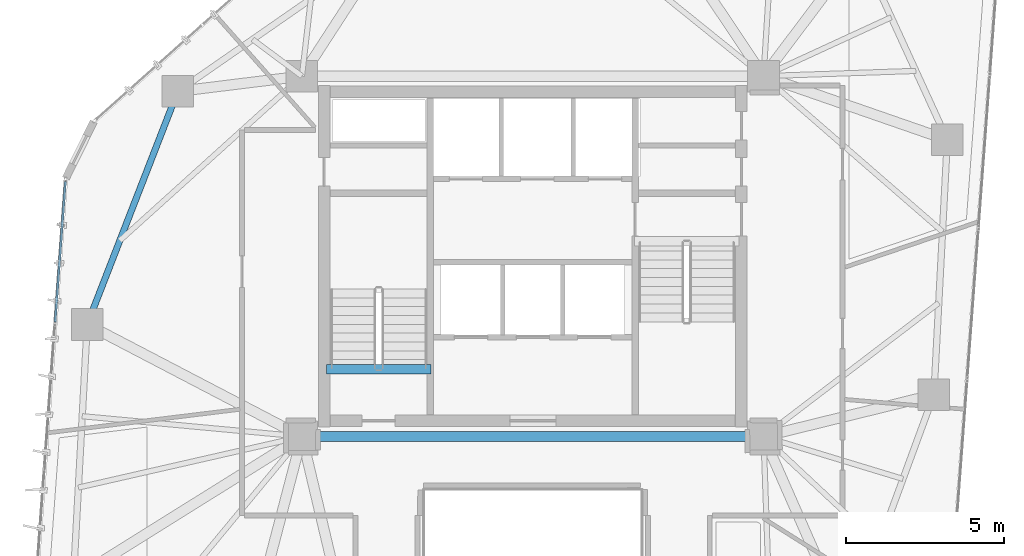
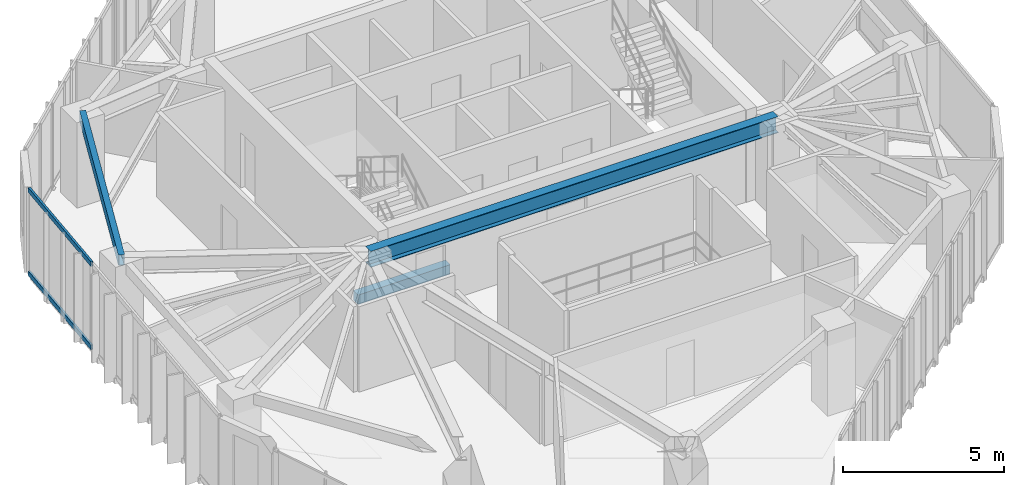
# One storey, part 8 of 20: 3 beams, 2 members, 1 element without a shape of its own.
"""IFC4 building model written with IfcOpenShell, lengths in metres."""

from ifc_helpers import new_model, si_unit, direction, frame, origin, origin_2d, place, context, subcontext, project, spatial, rectangle, hollow_rectangle, i_section, extrude, source, transform, mapped, material, layer, layer_set, material_profile, profile_set, type_object, type_shapes, element, aggregate, save


model = new_model("IFC4")

# Units and contexts
model_context = context("Model", 3, precision=1e-05, world=origin(), true_north=direction((0.0, 1.0)))
body_context = subcontext(model_context, "Body", "Model", "MODEL_VIEW")
ifc_project = project(units=[si_unit("LENGTHUNIT", "METRE"), si_unit("AREAUNIT", "SQUARE_METRE"), si_unit("VOLUMEUNIT", "CUBIC_METRE"), si_unit("PLANEANGLEUNIT", "RADIAN"), si_unit("MASSUNIT", "GRAM", prefix="KILO")], contexts=[model_context])

# Site, building, storey
site_placement = place(None, origin())
site = spatial("IfcSite", under=ifc_project, at=site_placement, CompositionType="ELEMENT")
building_placement = place(site_placement, origin())
building = spatial("IfcBuilding", under=site, at=building_placement, Name="Talar Marvaseh", CompositionType="ELEMENT")
storey_placement = place(building_placement, frame((0.0, 0.0, 215.199951171875)))
storey = spatial("IfcBuildingStorey", under=building, at=storey_placement, Name="L56", CompositionType="ELEMENT", Elevation=215.199951171875)

# Beams
ifc_material_1 = material(Name="Concrete C40/50", Category="concrete")
ifc_material_profile_1 = material_profile(ifc_material_1, rectangle(XDim=0.300048828125, YDim=0.360107421875, at=origin_2d()), Name="RC300x360")
ifc_profile_set_1 = profile_set([ifc_material_profile_1], Name="Concrete C40/50")
beam_type_1 = type_object("IfcBeamType", Name="Concrete Stair Landing Trimmer Beam RC300x360", PredefinedType="SPANDREL", material=ifc_profile_set_1)
beam_1_placement = place(storey_placement, frame((22.780029296875, 27.6298828125, -0.179931640625), z_axis=(-1.0, 0.0, 0.0), x_axis=(0.0, -1.0, 0.0)))
element("IfcBeam", 1, at=beam_1_placement, inside=storey, type_object=beam_type_1, Name="L56 ST-1 Stair Nosing Trimmer Beam", PredefinedType="SPANDREL", context=body_context, shape_type="SweptSolid", body=[
    extrude(rectangle(XDim=0.300048828125, YDim=0.360107421875, at=origin_2d()), origin(), (0.0, 0.0, 1.0), 3.300048828125),
])
ifc_material_2 = material(Name="Steel S355", Category="steel")
ifc_material_profile_2 = material_profile(ifc_material_2, hollow_rectangle(XDim=0.199951171875, YDim=0.39990234375, WallThickness=0.013916015625, at=origin_2d()), Name="RHS400x200x14")
ifc_profile_set_2 = profile_set([ifc_material_profile_2], Name="Steel S355")
beam_type_2 = type_object("IfcBeamType", Name="Zone 3 Perimeter Spandrel Beam RHS400x200x14", PredefinedType="SPANDREL", material=ifc_profile_set_2)
beam_2_placement = place(storey_placement, frame((11.908935546875, 29.044921875, 3.030029296875), z_axis=(0.362169134611, 0.932112395548, 0.0), x_axis=(-0.932112395548, 0.362169134611, 0.0)))
element("IfcBeam", 2, at=beam_2_placement, inside=storey, type_object=beam_type_2, Name="L56 Zone 3 Perimeter Spandrel Beam RHS400x200x14", PredefinedType="SPANDREL", context=body_context, shape_type="SweptSolid", body=[
    extrude(hollow_rectangle(XDim=0.199951171875, YDim=0.39990234375, WallThickness=0.013916015625, at=origin_2d()), origin(), (0.0, 0.0, 1.0), 7.907958984375),
])
ifc_material_profile_3 = material_profile(ifc_material_2, i_section(OverallWidth=0.324951171875, OverallDepth=0.615966796875, WebThickness=0.013916015625, FlangeThickness=0.021484375, at=origin_2d()), Name="W610x174")
ifc_profile_set_3 = profile_set([ifc_material_profile_3], Name="Steel S355")
beam_type_3 = type_object("IfcBeamType", Name="Zone 3 Radial Floor Girder W610x174", PredefinedType="BEAM", material=ifc_profile_set_3)
beam_3_placement = place(storey_placement, frame((18.699951171875, 25.5, 2.922119140625), z_axis=(1.0, 0.0, 0.0), x_axis=(0.0, 1.0, 0.0)))
element("IfcBeam", 3, at=beam_3_placement, inside=storey, type_object=beam_type_3, Name="L56 Zone 3 Radial Floor Girder W610x174", PredefinedType="BEAM", context=body_context, shape_type="SweptSolid", body=[
    extrude(i_section(OverallWidth=0.324951171875, OverallDepth=0.615966796875, WebThickness=0.013916015625, FlangeThickness=0.021484375, at=origin_2d()), origin(), (0.0, 0.0, 1.0), 14.60009765625),
])

# Curtain wall, members
ifc_material_3 = material(Name="Architectural Aluminium", Category="aluminium")
ifc_layer = layer(ifc_material_3, 0.18994140625)
ifc_layer_set = layer_set([ifc_layer], Name="Architectural Aluminium")
curtain_wall_type = type_object("IfcCurtainWallType", Name="Unitised Solar Atelier Curtain Wall Z3", PredefinedType="NOTDEFINED", material=ifc_layer_set)
curtain_wall_placement = place(storey_placement, origin())
curtain_wall = element("IfcCurtainWall", 4, at=curtain_wall_placement, inside=storey, type_object=curtain_wall_type, Name="L56 Unitised Solar Atelier Curtain Wall Z3", PredefinedType="NOTDEFINED")
ifc_material_profile_4 = material_profile(ifc_material_3, hollow_rectangle(XDim=0.074951171875, YDim=0.179931640625, WallThickness=0.0048828125, at=origin_2d()), Name="RHS180x75x5")
ifc_profile_set_4 = profile_set([ifc_material_profile_4], Name="Architectural Aluminium")
member_type = type_object("IfcMemberType", Name="Unitised Curtain Wall Transom RHS180x75x5", PredefinedType="USERDEFINED", material=ifc_profile_set_4)
shared_shape = source(origin(), body_context, "Body", "SweptSolid", [
    extrude(hollow_rectangle(XDim=0.074951171875, YDim=0.179931640625, WallThickness=0.0048828125, at=origin_2d()), origin(), (0.0, 0.0, 1.0), 4.46484375),
])
type_shapes(member_type, [shared_shape])
member_1_placement = place(storey_placement, frame((10.892333984375, 29.117431640625, 0.03759765625), z_axis=(0.072945126645, 0.997335955683, 0.0), x_axis=(-0.997335955683, 0.072945126645, 0.0)))
member_1 = element("IfcMember", 5, at=member_1_placement, type_object=member_type, Name="CW-Z3 transom 3.1", ObjectType="TRANSOM", PredefinedType="USERDEFINED", context=body_context, shape_type="MappedRepresentation", body=[
    mapped(shared_shape, transform((0.0, 0.0, 0.0), x_axis=(1.0, 0.0, 0.0), y_axis=(0.0, 1.0, 0.0), z_axis=(0.0, 0.0, 1.0), scale=1.0)),
])
member_2_placement = place(storey_placement, frame((10.892333984375, 29.117431640625, 3.192626953125), z_axis=(0.072945126645, 0.997335955683, 0.0), x_axis=(-0.997335955683, 0.072945126645, 0.0)))
member_2 = element("IfcMember", 6, at=member_2_placement, type_object=member_type, Name="CW-Z3 transom 3.2", ObjectType="TRANSOM", PredefinedType="USERDEFINED", context=body_context, shape_type="MappedRepresentation", body=[
    mapped(shared_shape, transform((0.0, 0.0, 0.0), x_axis=(1.0, 0.0, 0.0), y_axis=(0.0, 1.0, 0.0), z_axis=(0.0, 0.0, 1.0), scale=1.0)),
])
aggregate(curtain_wall, [member_1, member_2])

save(model, "model.ifc")
